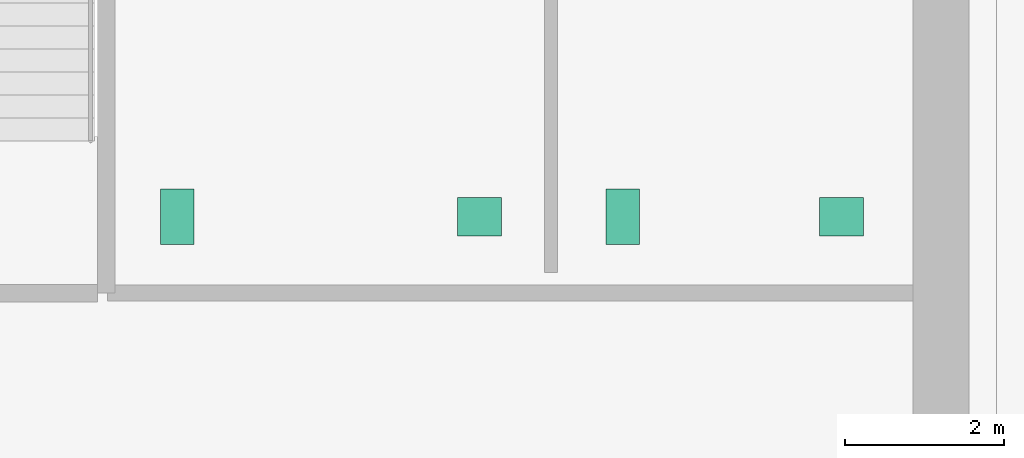
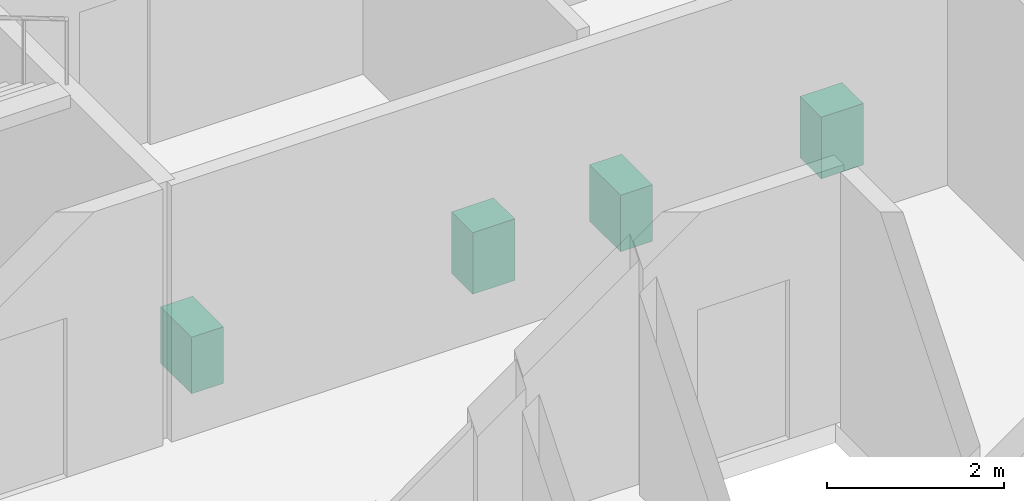
# One storey, part 12 of 12: 4 sanitary terminals.
"""IFC4 building model written with IfcOpenShell, lengths in metres."""

from ifc_helpers import new_model, si_unit, direction, frame, origin, origin_2d, place, context, subcontext, project, spatial, rectangle, extrude, material, type_object, element, save


model = new_model("IFC4")

# Units and contexts
model_context = context("Model", 3, precision=1e-05, world=origin(), true_north=direction((0.0, 1.0)))
body_context = subcontext(model_context, "Body", "Model", "MODEL_VIEW")
ifc_project = project(units=[si_unit("LENGTHUNIT", "METRE"), si_unit("AREAUNIT", "SQUARE_METRE"), si_unit("VOLUMEUNIT", "CUBIC_METRE"), si_unit("PLANEANGLEUNIT", "RADIAN"), si_unit("MASSUNIT", "GRAM", prefix="KILO")], contexts=[model_context])

# Site, building, storey
site_placement = place(None, origin())
site = spatial("IfcSite", under=ifc_project, at=site_placement, CompositionType="ELEMENT")
building_placement = place(site_placement, origin())
building = spatial("IfcBuilding", under=site, at=building_placement, Name="Norrvale University Quadrangle", CompositionType="ELEMENT")
storey_placement = place(building_placement, frame((0.0, 0.0, 143.199951171875)))
storey = spatial("IfcBuildingStorey", under=building, at=storey_placement, Name="L36", CompositionType="ELEMENT", Elevation=143.199951171875)

# Sanitary terminals
ifc_material = material(Name="Vitreous China Sanitaryware")
sanitary_terminal_type_1 = type_object("IfcSanitaryTerminalType", Name="Sanitary Wash Basin", PredefinedType="WASHHANDBASIN", material=ifc_material)
for number, where, z_axis, x_axis, name in (
    (1, (11.0, 41.10009765625, 0.0), (0.0, 0.0, 1.0), (1.0, 0.0, 0.0), "Accessible Countertop Washbasin L36-1"),
    (2, (15.550048828125, 41.10009765625, 0.0), (0.0, 0.0, 1.0), (1.0, 0.0, 0.0), "Accessible Countertop Washbasin L36-2"),
):
    element("IfcSanitaryTerminal", number, at=place(storey_placement, frame(where, z_axis=z_axis, x_axis=x_axis)), inside=storey, type_object=sanitary_terminal_type_1, Name=name, PredefinedType="WASHHANDBASIN", context=body_context, shape_type="SweptSolid", body=[
        extrude(rectangle(XDim=0.550048828125, YDim=0.47998046875, at=origin_2d()), origin(), (0.0, 0.0, 1.0), 0.85009765625),
    ])
sanitary_terminal_type_2 = type_object("IfcSanitaryTerminalType", Name="Sanitary Water Closet", PredefinedType="TOILETPAN", material=ifc_material)
for number, where, z_axis, x_axis, name in (
    (3, (7.199951171875, 41.10009765625, 0.0), (0.0, 0.0, 1.0), (1.0, 0.0, 0.0), "Wall-Hung Water Closet L36-1"),
    (4, (12.800048828125, 41.10009765625, 0.0), (0.0, 0.0, 1.0), (1.0, 0.0, 0.0), "Wall-Hung Water Closet L36-2"),
):
    element("IfcSanitaryTerminal", number, at=place(storey_placement, frame(where, z_axis=z_axis, x_axis=x_axis)), inside=storey, type_object=sanitary_terminal_type_2, Name=name, PredefinedType="TOILETPAN", context=body_context, shape_type="SweptSolid", body=[
        extrude(rectangle(XDim=0.419921875, YDim=0.699951171875, at=origin_2d()), origin(), (0.0, 0.0, 1.0), 0.780029296875),
    ])

save(model, "model.ifc")
